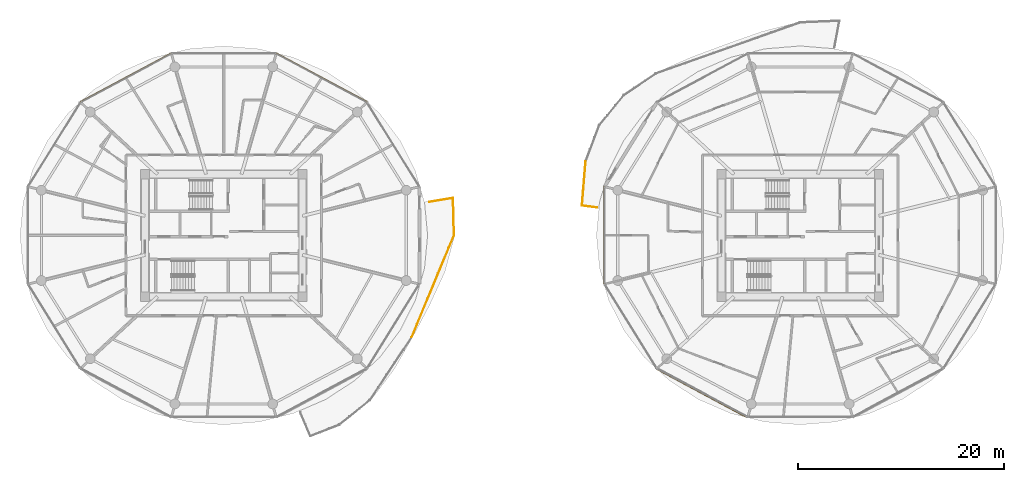
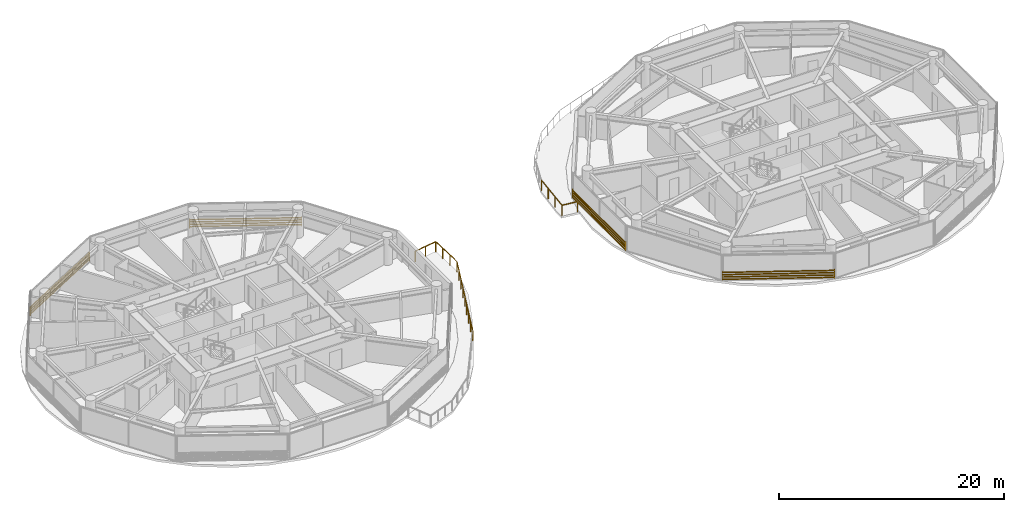
# One storey, part 25 of 27: 4 shading devices, 2 railings.
"""IFC4 building model written with IfcOpenShell, lengths in metres."""

from ifc_helpers import new_model, si_unit, direction, frame, origin, origin_2d, place, context, subcontext, project, spatial, rectangle, extrude, source, transform, mapped, material, type_object, type_shapes, element, save


model = new_model("IFC4")

# Units and contexts
model_context = context("Model", 3, precision=1e-05, world=origin(), true_north=direction((0.0, 1.0)))
body_context = subcontext(model_context, "Body", "Model", "MODEL_VIEW")
ifc_project = project(units=[si_unit("LENGTHUNIT", "METRE"), si_unit("AREAUNIT", "SQUARE_METRE"), si_unit("VOLUMEUNIT", "CUBIC_METRE"), si_unit("PLANEANGLEUNIT", "RADIAN"), si_unit("MASSUNIT", "GRAM", prefix="KILO")], contexts=[model_context])

# Site, building, storey
site_placement = place(None, origin())
site = spatial("IfcSite", under=ifc_project, at=site_placement, CompositionType="ELEMENT")
building_placement = place(site_placement, origin())
building = spatial("IfcBuilding", under=site, at=building_placement, Name="Norrkilde Senior Care Towers", CompositionType="ELEMENT")
storey_placement = place(building_placement, frame((0.0, 0.0, 58.199951171875)))
storey = spatial("IfcBuildingStorey", under=building, at=storey_placement, Name="L17", CompositionType="ELEMENT", Elevation=58.199951171875)

# Railings
ifc_material_1 = material(Name="Anodised Aluminium", Category="aluminium")
railing_type = type_object("IfcRailingType", Name="Balcony Swirl Ribbon Guardrail 1150", PredefinedType="GUARDRAIL", material=ifc_material_1)
railing_1_placement = place(storey_placement, frame((8.273681640625, 2.70263671875, 0.0)))
element("IfcRailing", 1, at=railing_1_placement, inside=storey, type_object=railing_type, Name="L17 Perimeter Safety Guard 02", PredefinedType="GUARDRAIL", context=body_context, shape_type="SweptSolid", body=[
    extrude(rectangle(XDim=0.048095703125, YDim=0.048095703125, at=origin_2d()), frame((0.0, 0.0, 1.1259765625), z_axis=(-0.991280846324, 0.131766018805, 0.0), x_axis=(-0.131766018805, -0.991280846324, 0.0)), (0.0, 0.0, 1.0), 1.447021484375),
    extrude(rectangle(XDim=0.048095703125, YDim=0.048095703125, at=origin_2d()), frame((-1.471435546875, 0.23681640625, 1.1259765625), z_axis=(0.082923268272, 0.996555934998, 0.0), x_axis=(-0.996555934998, 0.082923268272, 0.0)), (0.0, 0.0, 1.0), 4.257568359375),
    extrude(rectangle(XDim=0.0419921875, YDim=0.0419921875, at=origin_2d()), origin(), (0.0, 0.0, 1.0), 1.099853515625),
    extrude(rectangle(XDim=0.0419921875, YDim=0.0419921875, at=origin_2d()), frame((-1.474853515625, 0.196044921875, 0.0)), (0.0, 0.0, 1.0), 1.099853515625),
    extrude(rectangle(XDim=0.0419921875, YDim=0.0419921875, at=origin_2d()), frame((-1.35595703125, 1.6240234375, 0.0)), (0.0, 0.0, 1.0), 1.099853515625),
    extrude(rectangle(XDim=0.0419921875, YDim=0.0419921875, at=origin_2d()), frame((-1.2373046875, 3.0517578125, 0.0)), (0.0, 0.0, 1.0), 1.099853515625),
    extrude(rectangle(XDim=0.0419921875, YDim=0.0419921875, at=origin_2d()), frame((-1.118408203125, 4.479736328125, 0.0)), (0.0, 0.0, 1.0), 1.099853515625),
])
railing_2_placement = place(storey_placement, frame((-8.04052734375, 3.247314453125, 0.0)))
element("IfcRailing", 2, at=railing_2_placement, inside=storey, type_object=railing_type, Name="L17 Perimeter Safety Guard 04", PredefinedType="GUARDRAIL", context=body_context, shape_type="SweptSolid", body=[
    extrude(rectangle(XDim=0.048095703125, YDim=0.048095703125, at=origin_2d()), frame((0.0, 0.0, 1.1259765625), z_axis=(0.986371384516, 0.164534166084, 0.0), x_axis=(-0.164534166084, 0.986371384516, 0.0)), (0.0, 0.0, 1.0), 2.302001953125),
    extrude(rectangle(XDim=0.048095703125, YDim=0.048095703125, at=origin_2d()), frame((2.31201171875, 0.3447265625, 1.1259765625), z_axis=(0.025596354468, -0.999672359645, 0.0), x_axis=(0.999672359645, 0.025596354468, 0.0)), (0.0, 0.0, 1.0), 3.542724609375),
    extrude(rectangle(XDim=0.048095703125, YDim=0.048095703125, at=origin_2d()), frame((2.38818359375, -3.275634765625, 1.1259765625), z_axis=(-0.383088480483, -0.923711652044, 0.0), x_axis=(0.923711652044, -0.383088480483, 0.0)), (0.0, 0.0, 1.0), 10.680419921875),
    extrude(rectangle(XDim=0.0419921875, YDim=0.0419921875, at=origin_2d()), origin(), (0.0, 0.0, 1.0), 1.099853515625),
    extrude(rectangle(XDim=0.0419921875, YDim=0.0419921875, at=origin_2d()), frame((1.155517578125, 0.19287109375, 0.0)), (0.0, 0.0, 1.0), 1.099853515625),
    extrude(rectangle(XDim=0.0419921875, YDim=0.0419921875, at=origin_2d()), frame((2.31103515625, 0.385498046875, 0.0)), (0.0, 0.0, 1.0), 1.099853515625),
    extrude(rectangle(XDim=0.0419921875, YDim=0.0419921875, at=origin_2d()), frame((2.342041015625, -0.822265625, 0.0)), (0.0, 0.0, 1.0), 1.099853515625),
    extrude(rectangle(XDim=0.0419921875, YDim=0.0419921875, at=origin_2d()), frame((2.372802734375, -2.030029296875, 0.0)), (0.0, 0.0, 1.0), 1.099853515625),
    extrude(rectangle(XDim=0.0419921875, YDim=0.0419921875, at=origin_2d()), frame((2.40380859375, -3.23779296875, 0.0)), (0.0, 0.0, 1.0), 1.099853515625),
    extrude(rectangle(XDim=0.0419921875, YDim=0.0419921875, at=origin_2d()), frame((1.890380859375, -4.4755859375, 0.0)), (0.0, 0.0, 1.0), 1.099853515625),
    extrude(rectangle(XDim=0.0419921875, YDim=0.0419921875, at=origin_2d()), frame((1.376953125, -5.713623046875, 0.0)), (0.0, 0.0, 1.0), 1.099853515625),
    extrude(rectangle(XDim=0.0419921875, YDim=0.0419921875, at=origin_2d()), frame((0.863525390625, -6.95166015625, 0.0)), (0.0, 0.0, 1.0), 1.099853515625),
    extrude(rectangle(XDim=0.0419921875, YDim=0.0419921875, at=origin_2d()), frame((0.35009765625, -8.189453125, 0.0)), (0.0, 0.0, 1.0), 1.099853515625),
    extrude(rectangle(XDim=0.0419921875, YDim=0.0419921875, at=origin_2d()), frame((-0.1630859375, -9.42724609375, 0.0)), (0.0, 0.0, 1.0), 1.099853515625),
    extrude(rectangle(XDim=0.0419921875, YDim=0.0419921875, at=origin_2d()), frame((-0.676513671875, -10.665283203125, 0.0)), (0.0, 0.0, 1.0), 1.099853515625),
    extrude(rectangle(XDim=0.0419921875, YDim=0.0419921875, at=origin_2d()), frame((-1.18994140625, -11.9033203125, 0.0)), (0.0, 0.0, 1.0), 1.099853515625),
    extrude(rectangle(XDim=0.0419921875, YDim=0.0419921875, at=origin_2d()), frame((-1.703369140625, -13.14111328125, 0.0)), (0.0, 0.0, 1.0), 1.099853515625),
])

# Shading devices
ifc_material_2 = material(Name="Architectural Terracotta", Category="masonry")
shading_device_type = type_object("IfcShadingDeviceType", Name="Horizontal Terracotta Baguette Rack", PredefinedType="USERDEFINED", material=ifc_material_2)
shared_shape_1 = source(origin(), body_context, "Body", "SweptSolid", [
    extrude(rectangle(XDim=0.070068359375, YDim=0.110107421875, at=origin_2d()), frame((0.0, 0.090087890625, 0.125), z_axis=(1.0, 0.0, 0.0), x_axis=(0.0, 1.0, 0.0)), (0.0, 0.0, 1.0), 10.0107421875),
    extrude(rectangle(XDim=0.070068359375, YDim=0.110107421875, at=origin_2d()), frame((0.0, 0.090087890625, 0.375), z_axis=(1.0, 0.0, 0.0), x_axis=(0.0, 1.0, 0.0)), (0.0, 0.0, 1.0), 10.0107421875),
    extrude(rectangle(XDim=0.070068359375, YDim=0.110107421875, at=origin_2d()), frame((0.0, 0.090087890625, 0.625), z_axis=(1.0, 0.0, 0.0), x_axis=(0.0, 1.0, 0.0)), (0.0, 0.0, 1.0), 10.0107421875),
    extrude(rectangle(XDim=0.070068359375, YDim=0.110107421875, at=origin_2d()), frame((0.0, 0.090087890625, 0.875), z_axis=(1.0, 0.0, 0.0), x_axis=(0.0, 1.0, 0.0)), (0.0, 0.0, 1.0), 10.0107421875),
    extrude(rectangle(XDim=0.050048828125, YDim=0.1552734375, at=origin_2d()), frame((0.02490234375, 0.047607421875, 0.0)), (0.0, 0.0, 1.0), 1.0),
    extrude(rectangle(XDim=0.050048828125, YDim=0.1552734375, at=origin_2d()), frame((9.98583984375, 0.047607421875, 0.0)), (0.0, 0.0, 1.0), 1.0),
])
for number, where, z_axis, x_axis, name in (
    (3, (-22.906494140625, 17.6572265625, 0.080078125), (0.0, 0.0, 1.0), (0.881279875134, -0.472612428056, 0.0), "L17 Drum W Terracotta Baguette Screen 01"),
    (4, (-41.915771484375, 12.926025390625, 0.080078125), (0.0, 0.0, 1.0), (0.881279875134, 0.472612428056, 0.0), "L17 Drum W Terracotta Baguette Screen 03"),
    (5, (22.906494140625, -17.6572265625, 0.080078125), (0.0, 0.0, 1.0), (-0.881279875134, 0.472612428056, 0.0), "L17 Drum E Terracotta Baguette Screen 07"),
):
    element("IfcShadingDevice", number, at=place(storey_placement, frame(where, z_axis=z_axis, x_axis=x_axis)), inside=storey, type_object=shading_device_type, Name=name, ObjectType="BAGUETTE", PredefinedType="USERDEFINED", context=body_context, shape_type="MappedRepresentation", body=[
        mapped(shared_shape_1, transform((0.0, 0.0, 0.0), x_axis=(1.0, 0.0, 0.0), y_axis=(0.0, 1.0, 0.0), z_axis=(0.0, 0.0, 1.0), scale=1.0)),
    ])
shared_shape_2 = source(origin(), body_context, "Body", "SweptSolid", [
    extrude(rectangle(XDim=0.070068359375, YDim=0.110107421875, at=origin_2d()), frame((0.0, 0.090087890625, 0.125), z_axis=(1.0, 0.0, 0.0), x_axis=(0.0, 1.0, 0.0)), (0.0, 0.0, 1.0), 9.46240234375),
    extrude(rectangle(XDim=0.070068359375, YDim=0.110107421875, at=origin_2d()), frame((0.0, 0.090087890625, 0.375), z_axis=(1.0, 0.0, 0.0), x_axis=(0.0, 1.0, 0.0)), (0.0, 0.0, 1.0), 9.46240234375),
    extrude(rectangle(XDim=0.070068359375, YDim=0.110107421875, at=origin_2d()), frame((0.0, 0.090087890625, 0.625), z_axis=(1.0, 0.0, 0.0), x_axis=(0.0, 1.0, 0.0)), (0.0, 0.0, 1.0), 9.46240234375),
    extrude(rectangle(XDim=0.070068359375, YDim=0.110107421875, at=origin_2d()), frame((0.0, 0.090087890625, 0.875), z_axis=(1.0, 0.0, 0.0), x_axis=(0.0, 1.0, 0.0)), (0.0, 0.0, 1.0), 9.46240234375),
    extrude(rectangle(XDim=0.050048828125, YDim=0.1552734375, at=origin_2d()), frame((0.02490234375, 0.047607421875, 0.0)), (0.0, 0.0, 1.0), 1.0),
    extrude(rectangle(XDim=0.050048828125, YDim=0.1552734375, at=origin_2d()), frame((9.4375, 0.047607421875, 0.0)), (0.0, 0.0, 1.0), 1.0),
])
type_shapes(shading_device_type, [shared_shape_1, shared_shape_2])
shading_device_placement = place(storey_placement, frame((8.990478515625, -4.731201171875, 0.080078125), z_axis=(0.0, 0.0, 1.0), x_axis=(0.0, 1.0, 0.0)))
element("IfcShadingDevice", 6, at=shading_device_placement, inside=storey, type_object=shading_device_type, Name="L17 Drum E Terracotta Baguette Screen 05", ObjectType="BAGUETTE", PredefinedType="USERDEFINED", context=body_context, shape_type="MappedRepresentation", body=[
    mapped(shared_shape_2, transform((0.0, 0.0, 0.0), x_axis=(1.0, 0.0, 0.0), y_axis=(0.0, 1.0, 0.0), z_axis=(0.0, 0.0, 1.0), scale=1.0)),
])

save(model, "model.ifc")
